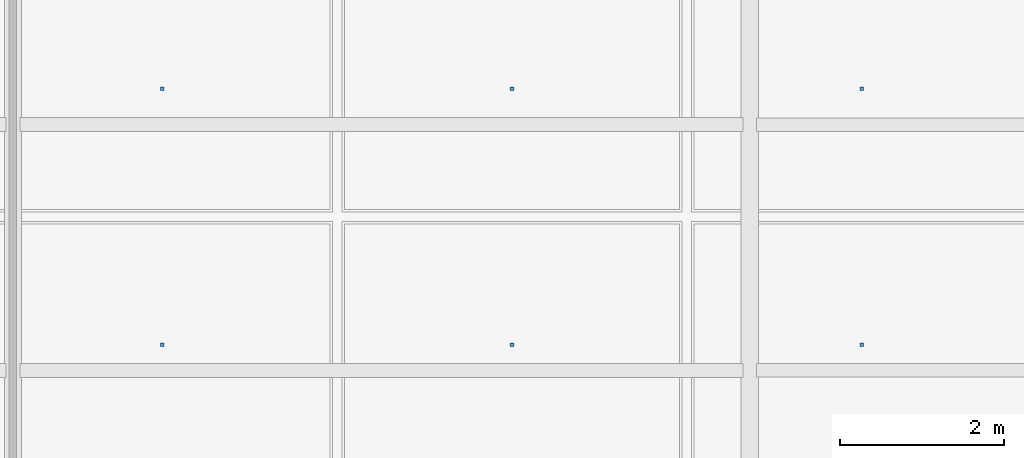
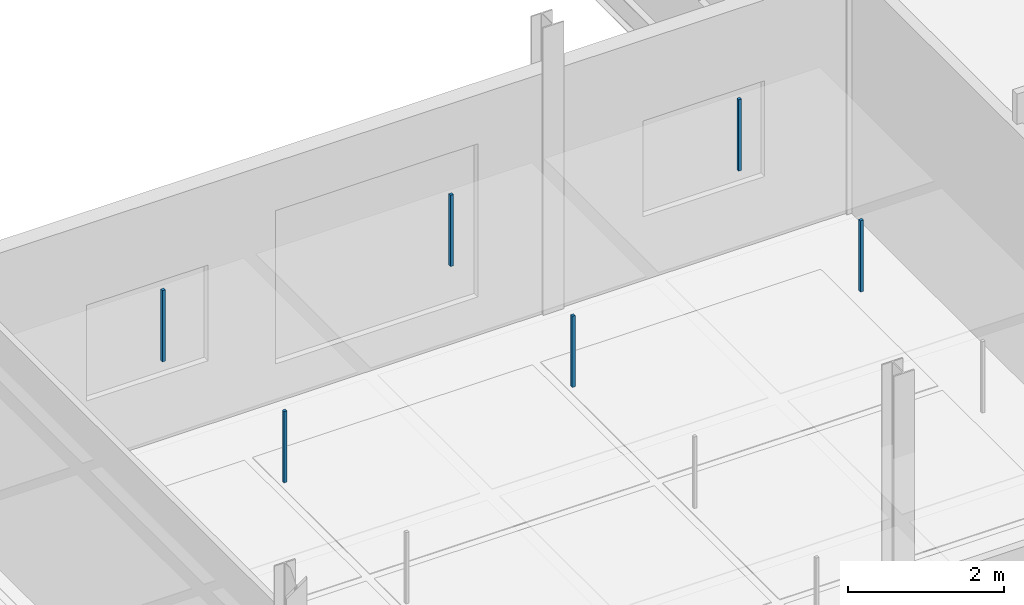
# One storey, part 106 of 130: 6 discrete accessories.
"""IFC4 building model written with IfcOpenShell, lengths in metres."""

from ifc_helpers import new_model, si_unit, direction, frame, origin, origin_2d, place, context, subcontext, project, spatial, rectangle, extrude, material, type_object, element, save


model = new_model("IFC4")

# Units and contexts
model_context = context("Model", 3, precision=1e-05, world=origin(), true_north=direction((0.0, 1.0)))
body_context = subcontext(model_context, "Body", "Model", "MODEL_VIEW")
ifc_project = project(units=[si_unit("LENGTHUNIT", "METRE"), si_unit("AREAUNIT", "SQUARE_METRE"), si_unit("VOLUMEUNIT", "CUBIC_METRE"), si_unit("PLANEANGLEUNIT", "RADIAN"), si_unit("MASSUNIT", "GRAM", prefix="KILO"), si_unit("THERMODYNAMICTEMPERATUREUNIT", "KELVIN"), si_unit("POWERUNIT", "WATT")], contexts=[model_context])

# Site, building, storey
site_placement = place(None, origin())
site = spatial("IfcSite", under=ifc_project, at=site_placement, CompositionType="ELEMENT")
building_placement = place(site_placement, origin())
building = spatial("IfcBuilding", under=site, at=building_placement, Name="Tallowbark Science Centre", CompositionType="ELEMENT")
storey_placement = place(building_placement, frame((0.0, 0.0, 5.39990234375)))
storey = spatial("IfcBuildingStorey", under=building, at=storey_placement, Name="L01", CompositionType="ELEMENT", Elevation=5.39990234375)

# Discrete accessories
ifc_material = material(Name="Galvanised Steel Grade C350L0 (350 MPa)", Category="steel")
discrete_accessory_type = type_object("IfcDiscreteAccessoryType", Name="ACC-CLG-HNG", PredefinedType="BRACKET", material=ifc_material)
for number, where, z_axis, x_axis, name in (
    (1, (100.826904296875, 93.3125, 3.205078125), (0.0, 0.0, 1.0), (1.0, 0.0, 0.0), "Ceiling Hanger Bracket L01-669"),
    (2, (100.826904296875, 96.4375, 3.205078125), (0.0, 0.0, 1.0), (1.0, 0.0, 0.0), "Ceiling Hanger Bracket L01-670"),
    (3, (105.09619140625, 93.3125, 3.205078125), (0.0, 0.0, 1.0), (1.0, 0.0, 0.0), "Ceiling Hanger Bracket L01-677"),
    (4, (105.09619140625, 96.4375, 3.205078125), (0.0, 0.0, 1.0), (1.0, 0.0, 0.0), "Ceiling Hanger Bracket L01-678"),
    (5, (109.365478515625, 93.3125, 3.205078125), (0.0, 0.0, 1.0), (1.0, 0.0, 0.0), "Ceiling Hanger Bracket L01-685"),
    (6, (109.365478515625, 96.4375, 3.205078125), (0.0, 0.0, 1.0), (1.0, 0.0, 0.0), "Ceiling Hanger Bracket L01-686"),
):
    element("IfcDiscreteAccessory", number, at=place(storey_placement, frame(where, z_axis=z_axis, x_axis=x_axis)), inside=storey, type_object=discrete_accessory_type, Name=name, PredefinedType="BRACKET", context=body_context, shape_type="SweptSolid", body=[
        extrude(rectangle(XDim=0.044921875, YDim=0.044921875, at=origin_2d()), origin(), (0.0, 0.0, 1.0), 1.117919921875),
    ])

save(model, "model.ifc")
